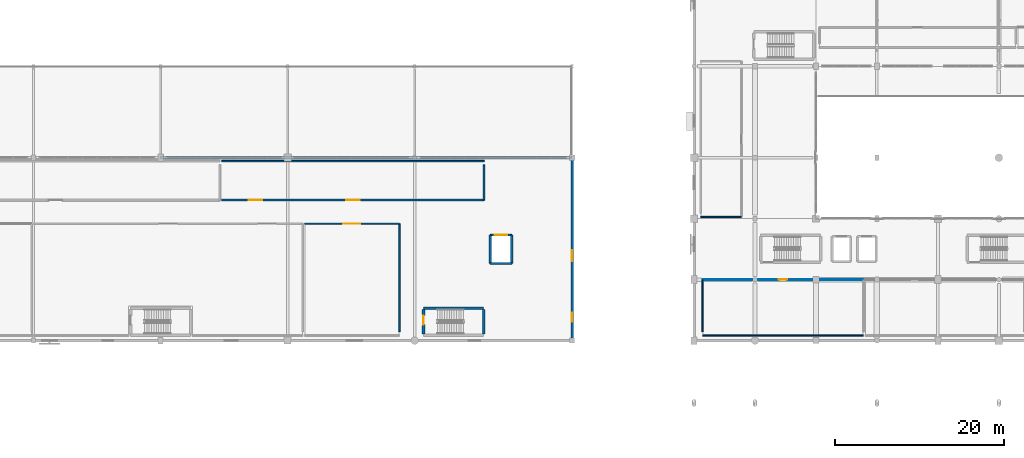
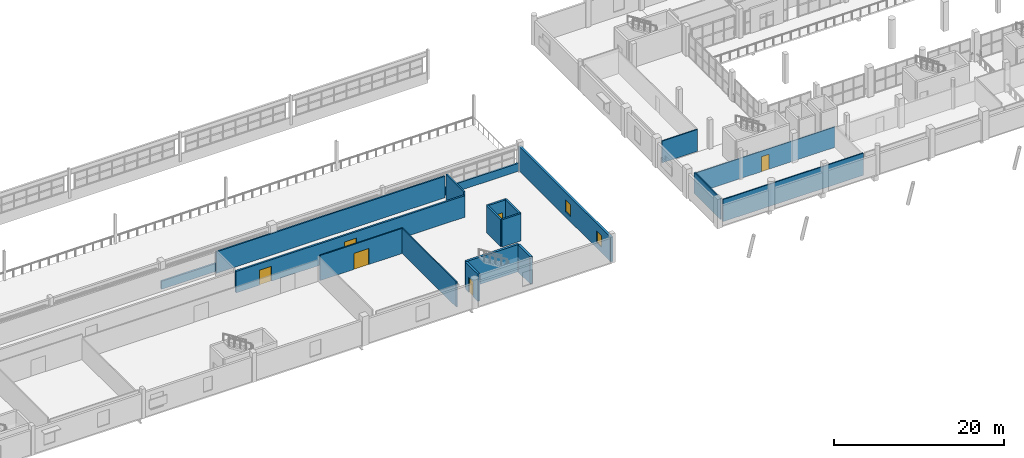
# One storey, part 66 of 92: 18 walls, 6 doors, 2 windows, 8 openings.
"""IFC4 building model written with IfcOpenShell, lengths in metres."""

from ifc_helpers import new_model, si_unit, direction, frame, frame_2d, origin, place, context, subcontext, project, spatial, rectangle, extrude, material, layer, layer_set, type_object, element, fill, save


model = new_model("IFC4")

# Units and contexts
model_context = context("Model", 3, precision=1e-05, world=origin(), true_north=direction((0.0, 1.0)))
body_context = subcontext(model_context, "Body", "Model", "MODEL_VIEW")
ifc_project = project(units=[si_unit("LENGTHUNIT", "METRE"), si_unit("AREAUNIT", "SQUARE_METRE"), si_unit("VOLUMEUNIT", "CUBIC_METRE"), si_unit("PLANEANGLEUNIT", "RADIAN"), si_unit("MASSUNIT", "GRAM", prefix="KILO")], contexts=[model_context])

# Site, building, storey
site_placement = place(None, origin())
site = spatial("IfcSite", under=ifc_project, at=site_placement, CompositionType="ELEMENT")
building_placement = place(site_placement, origin())
building = spatial("IfcBuilding", under=site, at=building_placement, Name="Solanera Park Tramway Depot", CompositionType="ELEMENT")
storey_placement = place(building_placement, frame((0.0, 0.0, 4.800048828125)))
storey = spatial("IfcBuildingStorey", under=building, at=storey_placement, Name="L01", CompositionType="ELEMENT", Elevation=4.800048828125)

# Walls
ifc_material_1 = material(Name="Concrete N32 (C32/40)", Category="concrete")
ifc_layer_1 = layer(ifc_material_1, 0.14990234375)
ifc_layer_set_1 = layer_set([ifc_layer_1], Name="Concrete N32 (C32/40)")
wall_type_1 = type_object("IfcWallType", Name="Acoustic Partition 150", PredefinedType="PARTITIONING", material=ifc_layer_set_1)
wall_1_placement = place(storey_placement, frame((73.199951171875, 11.85009765625, 0.0), z_axis=(0.0, 0.0, 1.0), x_axis=(0.0, 1.0, 0.0)))
element("IfcWall", 1, at=wall_1_placement, inside=storey, type_object=wall_type_1, Name="Precision Metrology and Calibration Lab Dividing Wall", PredefinedType="PARTITIONING", context=body_context, shape_type="SweptSolid", body=[
    extrude(rectangle(XDim=12.75, YDim=0.14990234375, at=frame_2d((6.375, 0.0))), origin(), (0.0, 0.0, 1.0), 3.599853515625),
])
wall_2_placement = place(storey_placement, frame((128.0, 11.39990234375, 0.0), z_axis=(0.0, 0.0, 1.0), x_axis=(-1.0, 0.0, 0.0)))
element("IfcWall", 2, at=wall_2_placement, inside=storey, type_object=wall_type_1, Name="Full-Cab Tramway Driving Simulator 1 Dividing Wall", PredefinedType="PARTITIONING", context=body_context, shape_type="SweptSolid", body=[
    extrude(rectangle(XDim=19.0, YDim=0.14990234375, at=frame_2d((9.5, 0.0))), origin(), (0.0, 0.0, 1.0), 3.171875),
])
wall_3_placement = place(storey_placement, frame((109.0, 18.0, 0.0), z_axis=(0.0, 0.0, 1.0), x_axis=(0.0, -1.0, 0.0)))
element("IfcWall", 3, at=wall_3_placement, inside=storey, type_object=wall_type_1, Name="Full-Cab Tramway Driving Simulator 1 Dividing Wall", PredefinedType="PARTITIONING", context=body_context, shape_type="SweptSolid", body=[
    extrude(rectangle(XDim=6.14990234375, YDim=0.14990234375, at=frame_2d((3.074951171875, 0.0))), origin(), (0.0, 0.0, 1.0), 3.02197265625),
])
wall_4_placement = place(storey_placement, frame((113.60009765625, 25.39990234375, 0.0), z_axis=(0.0, 0.0, 1.0), x_axis=(-1.0, 0.0, 0.0)))
element("IfcWall", 4, at=wall_4_placement, inside=storey, type_object=wall_type_1, Name="Crew Wellness and Fitness Studio Dividing Wall", PredefinedType="PARTITIONING", context=body_context, shape_type="SweptSolid", body=[
    extrude(rectangle(XDim=4.800048828125, YDim=0.14990234375, at=frame_2d((2.39990234375, 0.0))), origin(), (0.0, 0.0, 1.0), 3.1220703125),
])
ifc_material_2 = material(Name="Concrete N40 (C40/50)", Category="concrete")
ifc_layer_2 = layer(ifc_material_2, 0.300048828125)
ifc_layer_set_2 = layer_set([ifc_layer_2], Name="Concrete N40 (C40/50)")
wall_type_2 = type_object("IfcWallType", Name="Core Shear Wall 300", PredefinedType="SHEAR", material=ifc_layer_set_2)
wall_5_placement = place(storey_placement, frame((83.14990234375, 14.64990234375, 0.0), z_axis=(0.0, 0.0, 1.0), x_axis=(-1.0, 0.0, 0.0)))
element("IfcWall", 5, at=wall_5_placement, inside=storey, type_object=wall_type_2, Name="ST-09 L01 Shear Core Wall N", PredefinedType="SHEAR", context=body_context, shape_type="SweptSolid", body=[
    extrude(rectangle(XDim=7.099853515625, YDim=0.300048828125, at=frame_2d((3.5498046875, 0.0))), origin(), (0.0, 0.0, 1.0), 3.89990234375),
])
wall_6_placement = place(storey_placement, frame((83.14990234375, 11.60009765625, 0.0), z_axis=(0.0, 0.0, 1.0), x_axis=(0.0, 1.0, 0.0)))
element("IfcWall", 6, at=wall_6_placement, inside=storey, type_object=wall_type_2, Name="ST-09 L01 Shear Core Wall E", PredefinedType="SHEAR", context=body_context, shape_type="SweptSolid", body=[
    extrude(rectangle(XDim=2.89990234375, YDim=0.300048828125, at=frame_2d((1.449951171875, 0.0))), origin(), (0.0, 0.0, 1.0), 3.89990234375),
])

# Wall, opening, door
wall_7_placement = place(storey_placement, frame((76.050048828125, 14.5, 0.0), z_axis=(0.0, 0.0, 1.0), x_axis=(0.0, -1.0, 0.0)))
wall_7 = element("IfcWall", 7, at=wall_7_placement, inside=storey, type_object=wall_type_2, Name="ST-09 L01 Shear Core Wall W", PredefinedType="SHEAR", context=body_context, shape_type="SweptSolid", body=[
    extrude(rectangle(XDim=2.89990234375, YDim=0.300048828125, at=frame_2d((1.449951171875, 0.0))), origin(), (0.0, 0.0, 1.0), 3.89990234375),
])
opening_1_placement = place(wall_7_placement, frame((0.75, 0.0, 0.0)))
opening_1 = element("IfcOpeningElement", 8, at=opening_1_placement, cuts=wall_7, Name="Opening FD-S1R", PredefinedType="OPENING", context=body_context, shape_type="SweptSolid", body=[
    extrude(rectangle(XDim=1.070068359375, YDim=2.14990234375, at=frame_2d((0.53515625, 1.074951171875))), frame((0.0, 0.16015625, 0.0), z_axis=(0.0, -1.0, 0.0), x_axis=(1.0, 0.0, 0.0)), (0.0, 0.0, 1.0), 0.320068359375),
])
ifc_material_3 = material(Name="Fire-rated steel or solid-core hardwood door leaf", Category="steel")
door_type_1 = type_object("IfcDoorType", Name="Stair Fire Door R 1070x2150", OperationType="SINGLE_SWING_RIGHT", PredefinedType="DOOR", material=ifc_material_3)
door_1_placement = place(opening_1_placement, origin())
door_1 = element("IfcDoor", 9, at=door_1_placement, inside=storey, type_object=door_type_1, Name="ST-09 L01 Stair Fire Door", OperationType="SINGLE_SWING_RIGHT", OverallHeight=2.14990234375, OverallWidth=1.070068359375, PredefinedType="DOOR", context=body_context, shape_type="SweptSolid", body=[
    extrude(rectangle(XDim=1.070068359375, YDim=2.14990234375, at=frame_2d((0.53515625, 1.074951171875))), frame((0.0, 0.02490234375, 0.0), z_axis=(0.0, -1.0, 0.0), x_axis=(1.0, 0.0, 0.0)), (0.0, 0.0, 1.0), 0.050048828125),
])
fill(opening_1, door_1)

# Wall, openings, windows
ifc_material_4 = material(Name="Concrete N32 (C32/40)", Category="concrete")
ifc_layer_3 = layer(ifc_material_4, 0.300048828125)
ifc_layer_set_3 = layer_set([ifc_layer_3], Name="Concrete N32 (C32/40)")
wall_type_3 = type_object("IfcWallType", Name="Ext Stucco Wall 300", PredefinedType="SOLIDWALL", material=ifc_layer_set_3)
wall_8_placement = place(storey_placement, frame((93.60009765625, 10.800048828125, 0.0), z_axis=(0.0, 0.0, 1.0), x_axis=(0.0, 1.0, 0.0)))
wall_8 = element("IfcWall", 10, at=wall_8_placement, inside=storey, type_object=wall_type_3, Name="L01 Exterior Wall #007", PredefinedType="SOLIDWALL", context=body_context, shape_type="SweptSolid", body=[
    extrude(rectangle(XDim=21.599853515625, YDim=0.300048828125, at=frame_2d((10.7998046875, 0.0))), origin(), (0.0, 0.0, 1.0), 3.5),
])
opening_2_placement = place(wall_8_placement, frame((2.199951171875, 0.0, 0.780029296875)))
opening_2 = element("IfcOpeningElement", 11, at=opening_2_placement, cuts=wall_8, Name="Opening WN-C11", PredefinedType="OPENING", context=body_context, shape_type="SweptSolid", body=[
    extrude(rectangle(XDim=1.10009765625, YDim=1.64990234375, at=frame_2d((0.550048828125, 0.824951171875))), frame((0.0, 0.16015625, 0.0), z_axis=(0.0, -1.0, 0.0), x_axis=(1.0, 0.0, 0.0)), (0.0, 0.0, 1.0), 0.320068359375),
])
opening_3_placement = place(wall_8_placement, frame((9.39990234375, 0.0, 0.780029296875)))
opening_3 = element("IfcOpeningElement", 12, at=opening_3_placement, cuts=wall_8, Name="Opening WN-C12", PredefinedType="OPENING", context=body_context, shape_type="SweptSolid", body=[
    extrude(rectangle(XDim=1.25, YDim=1.699951171875, at=frame_2d((0.625, 0.85009765625))), frame((0.0, 0.16015625, 0.0), z_axis=(0.0, -1.0, 0.0), x_axis=(1.0, 0.0, 0.0)), (0.0, 0.0, 1.0), 0.320068359375),
])
ifc_material_5 = material(Name="Powder-coated aluminium frame with solar-control double glazing", Category="aluminium")
window_type_1 = type_object("IfcWindowType", Name="Cloister Casement Window 1100x1650", PartitioningType="SINGLE_PANEL", PredefinedType="WINDOW", material=ifc_material_5)
window_1_placement = place(opening_2_placement, origin())
window_1 = element("IfcWindow", 13, at=window_1_placement, inside=storey, type_object=window_type_1, Name="L01 Cloister Casement Window 1100x1650 #0049", OverallHeight=1.64990234375, OverallWidth=1.10009765625, PartitioningType="SINGLE_PANEL", PredefinedType="WINDOW", context=body_context, shape_type="SweptSolid", body=[
    extrude(rectangle(XDim=1.10009765625, YDim=1.64990234375, at=frame_2d((0.550048828125, 0.824951171875))), frame((0.0, 0.030029296875, 0.0), z_axis=(0.0, -1.0, 0.0), x_axis=(1.0, 0.0, 0.0)), (0.0, 0.0, 1.0), 0.06005859375),
])
fill(opening_2, window_1)
ifc_material_6 = material(Name="Powder-coated aluminium frame with solar-control double glazing", Category="aluminium")
window_type_2 = type_object("IfcWindowType", Name="Cloister Casement Window 1250x1700", PartitioningType="SINGLE_PANEL", PredefinedType="WINDOW", material=ifc_material_6)
window_2_placement = place(opening_3_placement, origin())
window_2 = element("IfcWindow", 14, at=window_2_placement, inside=storey, type_object=window_type_2, Name="L01 Cloister Casement Window 1250x1700 #0050", OverallHeight=1.699951171875, OverallWidth=1.25, PartitioningType="SINGLE_PANEL", PredefinedType="WINDOW", context=body_context, shape_type="SweptSolid", body=[
    extrude(rectangle(XDim=1.25, YDim=1.699951171875, at=frame_2d((0.625, 0.85009765625))), frame((0.0, 0.030029296875, 0.0), z_axis=(0.0, -1.0, 0.0), x_axis=(1.0, 0.0, 0.0)), (0.0, 0.0, 1.0), 0.06005859375),
])
fill(opening_3, window_2)

# Walls
ifc_material_7 = material(Name="Concrete N32 (C32/40)", Category="concrete")
ifc_layer_4 = layer(ifc_material_7, 0.199951171875)
ifc_layer_set_4 = layer_set([ifc_layer_4], Name="Concrete N32 (C32/40)")
wall_type_4 = type_object("IfcWallType", Name="Fire Compartment Wall 200", PredefinedType="SOLIDWALL", material=ifc_layer_set_4)
wall_9_placement = place(storey_placement, frame((52.199951171875, 32.0, 0.0), z_axis=(0.0, 0.0, 1.0), x_axis=(1.0, 0.0, 0.0)))
element("IfcWall", 15, at=wall_9_placement, inside=storey, type_object=wall_type_4, Name="Consumables and Fastener Mezzanine Store Dividing Wall", PredefinedType="SOLIDWALL", context=body_context, shape_type="SweptSolid", body=[
    extrude(rectangle(XDim=31.0, YDim=0.199951171875, at=frame_2d((15.5, 0.0))), origin(), (0.0, 0.0, 1.0), 3.08203125),
])
wall_10_placement = place(storey_placement, frame((83.199951171875, 27.39990234375, 0.0), z_axis=(0.0, 0.0, 1.0), x_axis=(0.0, 1.0, 0.0)))
element("IfcWall", 16, at=wall_10_placement, inside=storey, type_object=wall_type_4, Name="Consumables and Fastener Mezzanine Store Dividing Wall", PredefinedType="SOLIDWALL", context=body_context, shape_type="SweptSolid", body=[
    extrude(rectangle(XDim=4.150146484375, YDim=0.199951171875, at=frame_2d((2.0751953125, 0.0))), origin(), (0.0, 0.0, 1.0), 3.599853515625),
])

# Wall, opening, door
ifc_material_8 = material(Name="Concrete N32 (C32/40)", Category="concrete")
ifc_layer_5 = layer(ifc_material_8, 0.159912109375)
ifc_layer_set_5 = layer_set([ifc_layer_5], Name="Concrete N32 (C32/40)")
wall_type_5 = type_object("IfcWallType", Name="Fire Corridor Wall 160", PredefinedType="PARTITIONING", material=ifc_layer_set_5)
wall_11_placement = place(storey_placement, frame((62.0, 24.60009765625, 0.0), z_axis=(0.0, 0.0, 1.0), x_axis=(1.0, 0.0, 0.0)))
wall_11 = element("IfcWall", 17, at=wall_11_placement, inside=storey, type_object=wall_type_5, Name="Precision Metrology and Calibration Lab Corridor Wall", PredefinedType="PARTITIONING", context=body_context, shape_type="SweptSolid", body=[
    extrude(rectangle(XDim=11.199951171875, YDim=0.159912109375, at=frame_2d((5.60009765625, 0.0))), origin(), (0.0, 0.0, 1.0), 3.599853515625),
])
opening_4_placement = place(wall_11_placement, frame((4.60009765625, 0.0, 0.0)))
opening_4 = element("IfcOpeningElement", 18, at=opening_4_placement, cuts=wall_11, Name="Opening ID-K2D", PredefinedType="OPENING", context=body_context, shape_type="SweptSolid", body=[
    extrude(rectangle(XDim=2.0, YDim=2.300048828125, at=frame_2d((1.0, 1.14990234375))), frame((0.0, 0.08984375, 0.0), z_axis=(0.0, -1.0, 0.0), x_axis=(1.0, 0.0, 0.0)), (0.0, 0.0, 1.0), 0.179931640625),
])
ifc_material_9 = material(Name="Fire-rated steel or solid-core hardwood door leaf", Category="steel")
door_type_2 = type_object("IfcDoorType", Name="Workshop Bay Double Door 2000x2300", OperationType="DOUBLE_SWING_LEFT", PredefinedType="DOOR", material=ifc_material_9)
door_2_placement = place(opening_4_placement, origin())
door_2 = element("IfcDoor", 19, at=door_2_placement, inside=storey, type_object=door_type_2, Name="Precision Metrology and Calibration Lab Door", OperationType="DOUBLE_SWING_LEFT", OverallHeight=2.300048828125, OverallWidth=2.0, PredefinedType="DOOR", context=body_context, shape_type="SweptSolid", body=[
    extrude(rectangle(XDim=2.0, YDim=2.300048828125, at=frame_2d((1.0, 1.14990234375))), frame((0.0, 0.02490234375, 0.0), z_axis=(0.0, -1.0, 0.0), x_axis=(1.0, 0.0, 0.0)), (0.0, 0.0, 1.0), 0.050048828125),
])
fill(opening_4, door_2)

# Wall, openings, doors
ifc_material_10 = material(Name="Concrete N32 (C32/40)", Category="concrete")
ifc_layer_6 = layer(ifc_material_10, 0.239990234375)
ifc_layer_set_6 = layer_set([ifc_layer_6], Name="Concrete N32 (C32/40)")
wall_type_6 = type_object("IfcWallType", Name="Inter-Class Fire Wall 240", PredefinedType="SOLIDWALL", material=ifc_layer_set_6)
wall_12_placement = place(storey_placement, frame((83.199951171875, 27.39990234375, 0.0), z_axis=(0.0, 0.0, 1.0), x_axis=(-1.0, 0.0, 0.0)))
wall_12 = element("IfcWall", 20, at=wall_12_placement, inside=storey, type_object=wall_type_6, Name="Consumables and Fastener Mezzanine Store Corridor Wall", PredefinedType="SOLIDWALL", context=body_context, shape_type="SweptSolid", body=[
    extrude(rectangle(XDim=31.0, YDim=0.239990234375, at=frame_2d((15.5, 0.0))), origin(), (0.0, 0.0, 1.0), 3.08203125),
])
opening_5_placement = place(wall_12_placement, frame((14.699951171875, 0.0, 0.0)))
opening_5 = element("IfcOpeningElement", 21, at=opening_5_placement, cuts=wall_12, Name="Opening FD-K2D", PredefinedType="OPENING", context=body_context, shape_type="SweptSolid", body=[
    extrude(rectangle(XDim=1.60009765625, YDim=2.14990234375, at=frame_2d((0.800048828125, 1.074951171875))), frame((0.0, 0.1298828125, 0.0), z_axis=(0.0, -1.0, 0.0), x_axis=(1.0, 0.0, 0.0)), (0.0, 0.0, 1.0), 0.260009765625),
])
opening_6_placement = place(wall_12_placement, frame((26.199951171875, 0.0, 0.0)))
opening_6 = element("IfcOpeningElement", 22, at=opening_6_placement, cuts=wall_12, Name="Opening FD-K2D", PredefinedType="OPENING", context=body_context, shape_type="SweptSolid", body=[
    extrude(rectangle(XDim=1.60009765625, YDim=2.14990234375, at=frame_2d((0.800048828125, 1.074951171875))), frame((0.0, 0.1298828125, 0.0), z_axis=(0.0, -1.0, 0.0), x_axis=(1.0, 0.0, 0.0)), (0.0, 0.0, 1.0), 0.260009765625),
])
ifc_material_11 = material(Name="Fire-rated steel or solid-core hardwood door leaf", Category="steel")
door_type_3 = type_object("IfcDoorType", Name="Store Double Fire Door 1600x2150", OperationType="DOUBLE_SWING_RIGHT", PredefinedType="DOOR", material=ifc_material_11)
door_3_placement = place(opening_5_placement, origin())
door_3 = element("IfcDoor", 23, at=door_3_placement, inside=storey, type_object=door_type_3, Name="Consumables and Fastener Mezzanine Store Door", OperationType="DOUBLE_SWING_RIGHT", OverallHeight=2.14990234375, OverallWidth=1.60009765625, PredefinedType="DOOR", context=body_context, shape_type="SweptSolid", body=[
    extrude(rectangle(XDim=1.60009765625, YDim=2.14990234375, at=frame_2d((0.800048828125, 1.074951171875))), frame((0.0, 0.02490234375, 0.0), z_axis=(0.0, -1.0, 0.0), x_axis=(1.0, 0.0, 0.0)), (0.0, 0.0, 1.0), 0.050048828125),
])
fill(opening_5, door_3)
door_4_placement = place(opening_6_placement, origin())
door_4 = element("IfcDoor", 24, at=door_4_placement, inside=storey, type_object=door_type_3, Name="Consumables and Fastener Mezzanine Store Secondary Exit Door", OperationType="DOUBLE_SWING_RIGHT", OverallHeight=2.14990234375, OverallWidth=1.60009765625, PredefinedType="DOOR", context=body_context, shape_type="SweptSolid", body=[
    extrude(rectangle(XDim=1.60009765625, YDim=2.14990234375, at=frame_2d((0.800048828125, 1.074951171875))), frame((0.0, 0.02490234375, 0.0), z_axis=(0.0, -1.0, 0.0), x_axis=(1.0, 0.0, 0.0)), (0.0, 0.0, 1.0), 0.050048828125),
])
fill(opening_6, door_4)

# Wall
ifc_material_12 = material(Name="Concrete N40 (C40/50)", Category="concrete")
ifc_layer_7 = layer(ifc_material_12, 0.25)
ifc_layer_set_7 = layer_set([ifc_layer_7], Name="Concrete N40 (C40/50)")
wall_type_7 = type_object("IfcWallType", Name="Lift Shaft Shear Wall 250", PredefinedType="SHEAR", material=ifc_layer_set_7)
wall_13_placement = place(storey_placement, frame((83.925048828125, 19.925048828125, 0.0), z_axis=(0.0, 0.0, 1.0), x_axis=(1.0, 0.0, 0.0)))
element("IfcWall", 25, at=wall_13_placement, inside=storey, type_object=wall_type_7, Name="LF-05 L01 Lift Shaft Wall S", PredefinedType="SHEAR", context=body_context, shape_type="SweptSolid", body=[
    extrude(rectangle(XDim=2.550048828125, YDim=0.25, at=frame_2d((1.27490234375, 0.0))), origin(), (0.0, 0.0, 1.0), 3.89990234375),
])

# Wall, opening, door
wall_14_placement = place(storey_placement, frame((86.47509765625, 23.27490234375, 0.0), z_axis=(0.0, 0.0, 1.0), x_axis=(-1.0, 0.0, 0.0)))
wall_14 = element("IfcWall", 26, at=wall_14_placement, inside=storey, type_object=wall_type_7, Name="LF-05 L01 Lift Shaft Wall N", PredefinedType="SHEAR", context=body_context, shape_type="SweptSolid", body=[
    extrude(rectangle(XDim=2.550048828125, YDim=0.25, at=frame_2d((1.27490234375, 0.0))), origin(), (0.0, 0.0, 1.0), 3.89990234375),
])
opening_7_placement = place(wall_14_placement, frame((0.52490234375, 0.0, 0.0)))
opening_7 = element("IfcOpeningElement", 27, at=opening_7_placement, cuts=wall_14, Name="Opening LD-02", PredefinedType="OPENING", context=body_context, shape_type="SweptSolid", body=[
    extrude(rectangle(XDim=1.5, YDim=2.199951171875, at=frame_2d((0.75, 1.10009765625))), frame((0.0, 0.135009765625, 0.0), z_axis=(0.0, -1.0, 0.0), x_axis=(1.0, 0.0, 0.0)), (0.0, 0.0, 1.0), 0.27001953125),
])
ifc_material_13 = material(Name="Fire-rated steel or solid-core hardwood door leaf", Category="steel")
door_type_4 = type_object("IfcDoorType", Name="Goods Lift Sliding Door 1500x2200", OperationType="SLIDING_TO_RIGHT", PredefinedType="DOOR", material=ifc_material_13)
door_5_placement = place(opening_7_placement, origin())
door_5 = element("IfcDoor", 28, at=door_5_placement, inside=storey, type_object=door_type_4, Name="LF-05 L01 Lift Landing Sliding Door", OperationType="SLIDING_TO_RIGHT", OverallHeight=2.199951171875, OverallWidth=1.5, PredefinedType="DOOR", context=body_context, shape_type="SweptSolid", body=[
    extrude(rectangle(XDim=1.5, YDim=2.199951171875, at=frame_2d((0.75, 1.10009765625))), frame((0.0, 0.02490234375, 0.0), z_axis=(0.0, -1.0, 0.0), x_axis=(1.0, 0.0, 0.0)), (0.0, 0.0, 1.0), 0.050048828125),
])
fill(opening_7, door_5)

# Walls
for number, where, z_axis, x_axis, name in (
    (29, (83.925048828125, 23.27490234375, 0.0), (0.0, 0.0, 1.0), (0.0, -1.0, 0.0), "LF-05 L01 Lift Shaft Wall W"),
    (30, (86.47509765625, 19.925048828125, 0.0), (0.0, 0.0, 1.0), (0.0, 1.0, 0.0), "LF-05 L01 Lift Shaft Wall E"),
):
    element("IfcWall", number, at=place(storey_placement, frame(where, z_axis=z_axis, x_axis=x_axis)), inside=storey, type_object=wall_type_7, Name=name, PredefinedType="SHEAR", context=body_context, shape_type="SweptSolid", body=[
        extrude(rectangle(XDim=3.349853515625, YDim=0.25, at=frame_2d((1.6748046875, 0.0))), origin(), (0.0, 0.0, 1.0), 3.89990234375),
    ])
ifc_material_14 = material(Name="Concrete N32 (C32/40)", Category="concrete")
ifc_layer_8 = layer(ifc_material_14, 0.239990234375)
ifc_layer_set_8 = layer_set([ifc_layer_8], Name="Concrete N32 (C32/40)")
wall_type_8 = type_object("IfcWallType", Name="Roof Parapet Wall 240", PredefinedType="PARAPET", material=ifc_layer_set_8)
wall_15_placement = place(storey_placement, frame((45.0, 32.39990234375, 0.0), z_axis=(0.0, 0.0, 1.0), x_axis=(1.0, 0.0, 0.0)))
element("IfcWall", 31, at=wall_15_placement, inside=storey, type_object=wall_type_8, Name="Roof Parapet Wall #02", PredefinedType="PARAPET", context=body_context, shape_type="SweptSolid", body=[
    extrude(rectangle(XDim=48.60009765625, YDim=0.239990234375, at=frame_2d((24.300048828125, 0.0))), origin(), (0.0, 0.0, 1.0), 1.14990234375),
])

# Wall, opening, door
ifc_material_15 = material(Name="Concrete N32 (C32/40)", Category="concrete")
ifc_layer_9 = layer(ifc_material_15, 0.110107421875)
ifc_layer_set_9 = layer_set([ifc_layer_9], Name="Concrete N32 (C32/40)")
wall_type_9 = type_object("IfcWallType", Name="Workshop Glazed Screen 110", PredefinedType="PARTITIONING", material=ifc_layer_set_9)
wall_16_placement = place(storey_placement, frame((109.0, 18.0, 0.0), z_axis=(0.0, 0.0, 1.0), x_axis=(1.0, 0.0, 0.0)))
wall_16 = element("IfcWall", 32, at=wall_16_placement, inside=storey, type_object=wall_type_9, Name="Full-Cab Tramway Driving Simulator 1 Corridor Wall", PredefinedType="PARTITIONING", context=body_context, shape_type="SweptSolid", body=[
    extrude(rectangle(XDim=19.0, YDim=0.110107421875, at=frame_2d((9.5, 0.0))), origin(), (0.0, 0.0, 1.0), 2.921875),
])
opening_8_placement = place(wall_16_placement, frame((8.97998046875, 0.0, 0.0)))
opening_8 = element("IfcOpeningElement", 33, at=opening_8_placement, cuts=wall_16, Name="Opening ID-T1L", PredefinedType="OPENING", context=body_context, shape_type="SweptSolid", body=[
    extrude(rectangle(XDim=1.0400390625, YDim=2.14990234375, at=frame_2d((0.52001953125, 1.074951171875))), frame((0.0, 0.06494140625, 0.0), z_axis=(0.0, -1.0, 0.0), x_axis=(1.0, 0.0, 0.0)), (0.0, 0.0, 1.0), 0.130126953125),
])
ifc_material_16 = material(Name="Fire-rated steel or solid-core hardwood door leaf", Category="steel")
door_type_5 = type_object("IfcDoorType", Name="Training Room Door L 1040x2150", OperationType="SINGLE_SWING_LEFT", PredefinedType="DOOR", material=ifc_material_16)
door_6_placement = place(opening_8_placement, origin())
door_6 = element("IfcDoor", 34, at=door_6_placement, inside=storey, type_object=door_type_5, Name="Full-Cab Tramway Driving Simulator 1 Door", OperationType="SINGLE_SWING_LEFT", OverallHeight=2.14990234375, OverallWidth=1.0400390625, PredefinedType="DOOR", context=body_context, shape_type="SweptSolid", body=[
    extrude(rectangle(XDim=1.0400390625, YDim=2.14990234375, at=frame_2d((0.52001953125, 1.074951171875))), frame((0.0, 0.02490234375, 0.0), z_axis=(0.0, -1.0, 0.0), x_axis=(1.0, 0.0, 0.0)), (0.0, 0.0, 1.0), 0.050048828125),
])
fill(opening_8, door_6)

save(model, "model.ifc")
